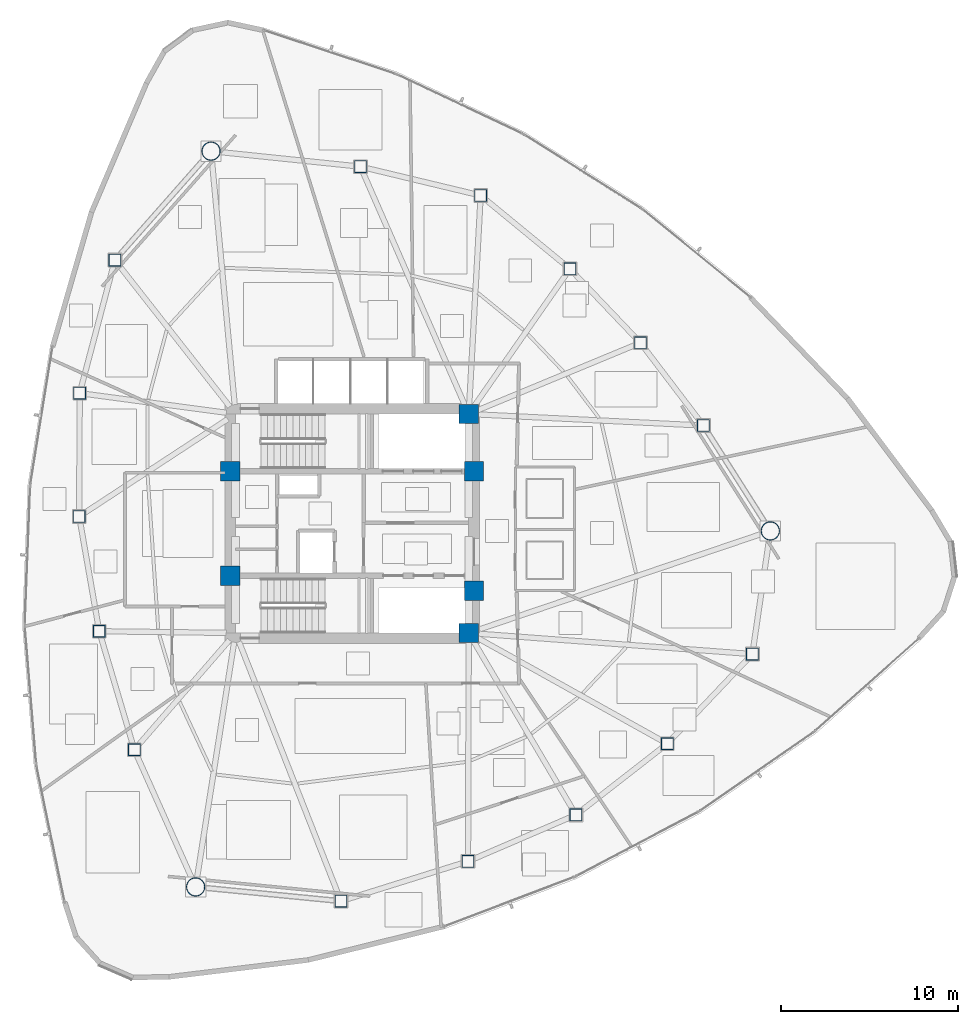
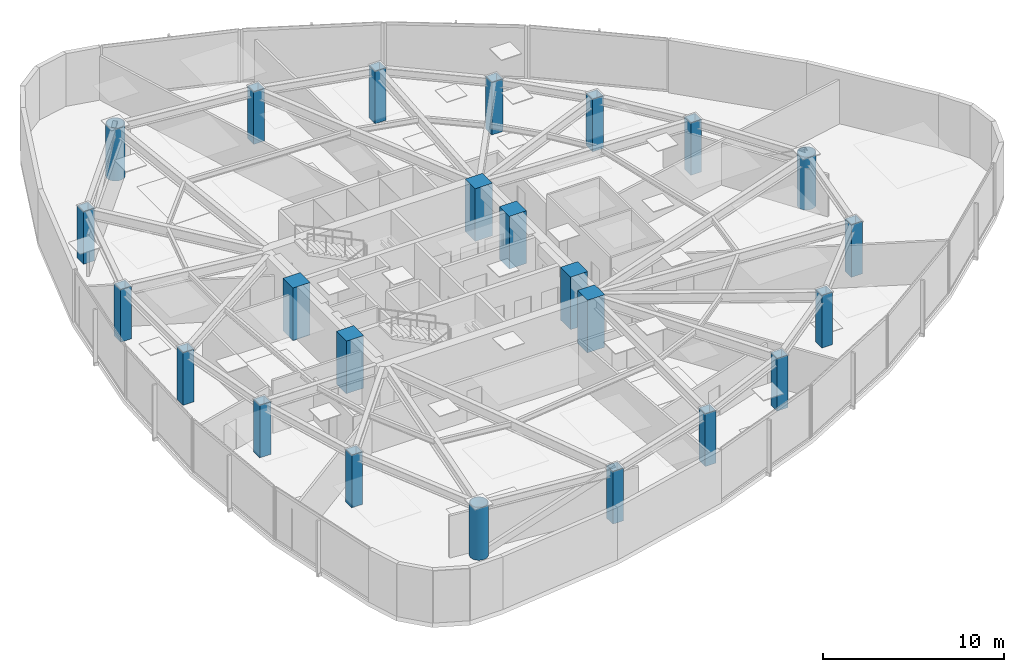
# One storey, part 1 of 17: 24 columns.
"""IFC4 building model written with IfcOpenShell, lengths in metres."""

from ifc_helpers import new_model, si_unit, direction, frame, origin, origin_2d, place, context, subcontext, project, spatial, rectangle, hollow_rectangle, hollow_circle, extrude, material, material_profile, profile_set, type_object, element, save


model = new_model("IFC4")

# Units and contexts
model_context = context("Model", 3, precision=1e-05, world=origin(), true_north=direction((0.0, 1.0)))
body_context = subcontext(model_context, "Body", "Model", "MODEL_VIEW")
ifc_project = project(units=[si_unit("LENGTHUNIT", "METRE"), si_unit("AREAUNIT", "SQUARE_METRE"), si_unit("VOLUMEUNIT", "CUBIC_METRE"), si_unit("PLANEANGLEUNIT", "RADIAN"), si_unit("MASSUNIT", "GRAM", prefix="KILO")], contexts=[model_context])

# Site, building, storey
site_placement = place(None, origin())
site = spatial("IfcSite", under=ifc_project, at=site_placement, CompositionType="ELEMENT")
building_placement = place(site_placement, origin())
building = spatial("IfcBuilding", under=site, at=building_placement, Name="Tavelor Broadcast Tower", CompositionType="ELEMENT")
storey_placement = place(building_placement, frame((0.0, 0.0, 134.85009765625)))
storey = spatial("IfcBuildingStorey", under=building, at=storey_placement, Name="L31", CompositionType="ELEMENT", Elevation=134.85009765625)

# Columns
ifc_material_1 = material(Name="Concrete C60/75", Category="concrete")
ifc_material_profile_1 = material_profile(ifc_material_1, rectangle(XDim=1.10009765625, YDim=1.10009765625, at=origin_2d()), Name="RC 1100x1100")
ifc_profile_set_1 = profile_set([ifc_material_profile_1], Name="Concrete C60/75")
column_type_1 = type_object("IfcColumnType", Name="Core Embedded Composite Column RC1100", PredefinedType="COLUMN", material=ifc_profile_set_1)
for number, where, z_axis, x_axis, name in (
    (1, (43.10009765625, 47.949951171875, 0.0), (0.0, 0.0, 1.0), (1.0, 0.0, 0.0), "L31 Core Embedded Column 1"),
    (2, (56.89990234375, 47.949951171875, 0.0), (0.0, 0.0, 1.0), (1.0, 0.0, 0.0), "L31 Core Embedded Column 2"),
    (3, (56.60009765625, 51.199951171875, 0.0), (0.0, 0.0, 1.0), (1.0, 0.0, 0.0), "L31 Core Embedded Column 3"),
    (4, (43.10009765625, 42.050048828125, 0.0), (0.0, 0.0, 1.0), (1.0, 0.0, 0.0), "L31 Core Embedded Column 4"),
    (5, (56.89990234375, 41.199951171875, 0.0), (0.0, 0.0, 1.0), (1.0, 0.0, 0.0), "L31 Core Embedded Column 5"),
    (6, (56.60009765625, 38.800048828125, 0.0), (0.0, 0.0, 1.0), (1.0, 0.0, 0.0), "L31 Core Embedded Column 6"),
):
    element("IfcColumn", number, at=place(storey_placement, frame(where, z_axis=z_axis, x_axis=x_axis)), inside=storey, type_object=column_type_1, Name=name, PredefinedType="COLUMN", context=body_context, shape_type="SweptSolid", body=[
        extrude(rectangle(XDim=1.10009765625, YDim=1.10009765625, at=origin_2d()), origin(), (0.0, 0.0, 1.0), 3.5498046875),
    ])
ifc_material_2 = material(Name="Steel S460", Category="steel")
ifc_material_profile_2 = material_profile(ifc_material_2, hollow_rectangle(XDim=0.699951171875, YDim=0.699951171875, WallThickness=0.0400390625, at=origin_2d()), Name="SHS 700x700x40")
ifc_profile_set_2 = profile_set([ifc_material_profile_2], Name="Steel S460")
column_type_2 = type_object("IfcColumnType", Name="Perimeter Tube Column T3 SHS 700x700x40", PredefinedType="COLUMN", material=ifc_profile_set_2)
for number, where, z_axis, x_axis, name in (
    (7, (36.567626953125, 59.91064453125, 0.0), (0.0, 0.0, 1.0), (1.0, 0.0, 0.0), "L31 Perimeter Framed-Tube Column 02"),
    (8, (34.5751953125, 52.37939453125, 0.0), (0.0, 0.0, 1.0), (1.0, 0.0, 0.0), "L31 Perimeter Framed-Tube Column 03"),
    (9, (34.54638671875, 45.399169921875, 0.0), (0.0, 0.0, 1.0), (1.0, 0.0, 0.0), "L31 Perimeter Framed-Tube Column 04"),
    (10, (35.680908203125, 38.89990234375, 0.0), (0.0, 0.0, 1.0), (1.0, 0.0, 0.0), "L31 Perimeter Framed-Tube Column 05"),
    (11, (37.668212890625, 32.1904296875, 0.0), (0.0, 0.0, 1.0), (1.0, 0.0, 0.0), "L31 Perimeter Framed-Tube Column 06"),
    (12, (49.366455078125, 23.618896484375, 0.0), (0.0, 0.0, 1.0), (1.0, 0.0, 0.0), "L31 Perimeter Framed-Tube Column 08"),
    (13, (56.56103515625, 25.872802734375, 0.0), (0.0, 0.0, 1.0), (1.0, 0.0, 0.0), "L31 Perimeter Framed-Tube Column 09"),
    (14, (62.669189453125, 28.503173828125, 0.0), (0.0, 0.0, 1.0), (1.0, 0.0, 0.0), "L31 Perimeter Framed-Tube Column 10"),
    (15, (67.84228515625, 32.53173828125, 0.0), (0.0, 0.0, 1.0), (1.0, 0.0, 0.0), "L31 Perimeter Framed-Tube Column 11"),
    (16, (72.6591796875, 37.607421875, 0.0), (0.0, 0.0, 1.0), (1.0, 0.0, 0.0), "L31 Perimeter Framed-Tube Column 12"),
    (17, (69.885986328125, 50.544189453125, 0.0), (0.0, 0.0, 1.0), (1.0, 0.0, 0.0), "L31 Perimeter Framed-Tube Column 14"),
    (18, (66.322021484375, 55.228759765625, 0.0), (0.0, 0.0, 1.0), (1.0, 0.0, 0.0), "L31 Perimeter Framed-Tube Column 15"),
    (19, (62.330810546875, 59.416259765625, 0.0), (0.0, 0.0, 1.0), (1.0, 0.0, 0.0), "L31 Perimeter Framed-Tube Column 16"),
    (20, (57.276611328125, 63.568359375, 0.0), (0.0, 0.0, 1.0), (1.0, 0.0, 0.0), "L31 Perimeter Framed-Tube Column 17"),
    (21, (50.472412109375, 65.2021484375, 0.0), (0.0, 0.0, 1.0), (1.0, 0.0, 0.0), "L31 Perimeter Framed-Tube Column 18"),
):
    element("IfcColumn", number, at=place(storey_placement, frame(where, z_axis=z_axis, x_axis=x_axis)), inside=storey, type_object=column_type_2, Name=name, PredefinedType="COLUMN", context=body_context, shape_type="SweptSolid", body=[
        extrude(hollow_rectangle(XDim=0.699951171875, YDim=0.699951171875, WallThickness=0.0400390625, at=origin_2d()), origin(), (0.0, 0.0, 1.0), 3.5498046875),
    ])
ifc_material_profile_3 = material_profile(ifc_material_2, hollow_circle(Radius=0.533447265625, WallThickness=0.044921875, at=origin_2d()), Name="CHS 1067x45")
ifc_profile_set_3 = profile_set([ifc_material_profile_3], Name="Steel S460")
column_type_3 = type_object("IfcColumnType", Name="Tower Mega Column T3 CHS 1067x45", PredefinedType="COLUMN", material=ifc_profile_set_3)
for number, where, z_axis, x_axis, name in (
    (22, (42.01123046875, 66.080078125, 0.0), (0.0, 0.0, 1.0), (1.0, 0.0, 0.0), "L31 Tower Corner Mega Column 01"),
    (23, (41.138671875, 24.423828125, 0.0), (0.0, 0.0, 1.0), (1.0, 0.0, 0.0), "L31 Tower Corner Mega Column 07"),
    (24, (73.676025390625, 44.57958984375, 0.0), (0.0, 0.0, 1.0), (1.0, 0.0, 0.0), "L31 Tower Corner Mega Column 13"),
):
    element("IfcColumn", number, at=place(storey_placement, frame(where, z_axis=z_axis, x_axis=x_axis)), inside=storey, type_object=column_type_3, Name=name, PredefinedType="COLUMN", context=body_context, shape_type="SweptSolid", body=[
        extrude(hollow_circle(Radius=0.533447265625, WallThickness=0.044921875, at=origin_2d()), origin(), (0.0, 0.0, 1.0), 3.5498046875),
    ])

save(model, "model.ifc")
